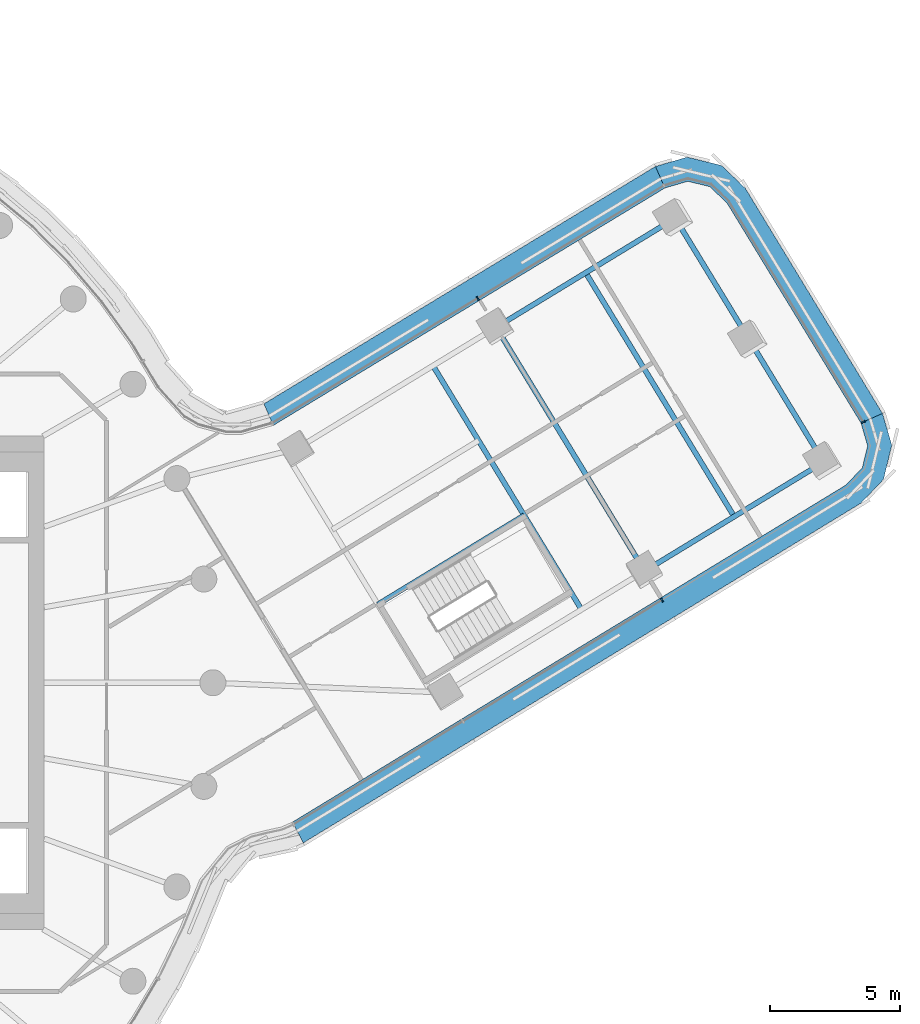
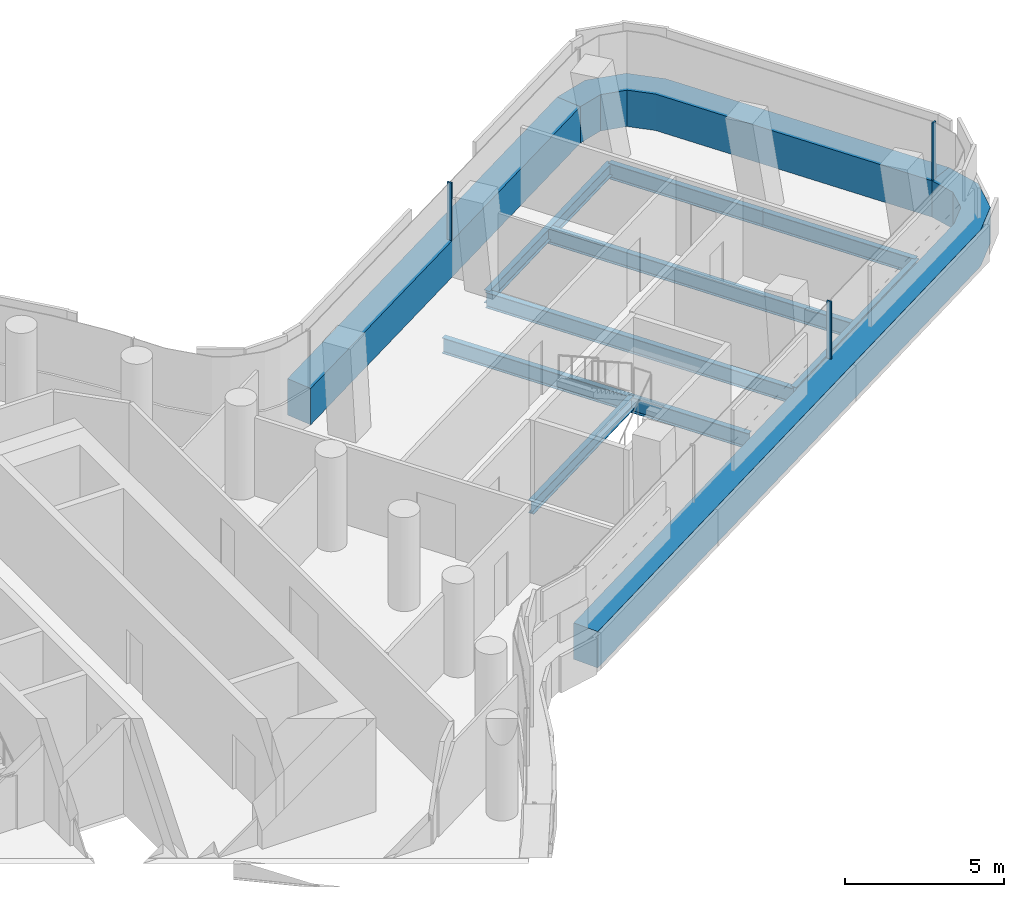
# One storey, part 13 of 35: 8 beams, 6 members, 3 elements without a shape of their own.
"""IFC4 building model written with IfcOpenShell, lengths in metres."""

from ifc_helpers import new_model, si_unit, direction, frame, origin, origin_2d, place, context, subcontext, project, spatial, polyline, rectangle, i_section, outline, extrude, material, layer, layer_set, material_profile, profile_set, type_object, element, aggregate, save


model = new_model("IFC4")

# Units and contexts
model_context = context("Model", 3, precision=1e-05, world=origin(), true_north=direction((0.0, 1.0)))
body_context = subcontext(model_context, "Body", "Model", "MODEL_VIEW")
ifc_project = project(units=[si_unit("LENGTHUNIT", "METRE"), si_unit("AREAUNIT", "SQUARE_METRE"), si_unit("VOLUMEUNIT", "CUBIC_METRE"), si_unit("PLANEANGLEUNIT", "RADIAN"), si_unit("MASSUNIT", "GRAM", prefix="KILO")], contexts=[model_context])

# Site, building, storey
site_placement = place(None, origin())
site = spatial("IfcSite", under=ifc_project, at=site_placement, CompositionType="ELEMENT")
building_placement = place(site_placement, origin())
building = spatial("IfcBuilding", under=site, at=building_placement, Name="Tamarind Cross Interchange Tower", CompositionType="ELEMENT")
storey_placement = place(building_placement, frame((0.0, 0.0, 148.0)))
storey = spatial("IfcBuildingStorey", under=building, at=storey_placement, Name="L36", CompositionType="ELEMENT", Elevation=148.0)

# Beams
ifc_material_1 = material(Name="Steel Q355B", Category="steel")
ifc_material_profile_1 = material_profile(ifc_material_1, i_section(OverallWidth=0.198974609375, OverallDepth=0.49609375, WebThickness=0.009033203125, FlangeThickness=0.013916015625, FilletRadius=0.012939453125, at=origin_2d()), Name="HN 496x199x9x14")
ifc_profile_set_1 = profile_set([ifc_material_profile_1], Name="Steel Q355B")
beam_type_1 = type_object("IfcBeamType", Name="Composite beam HN 496x199x9x14 Q355B", PredefinedType="BEAM", material=ifc_profile_set_1)
beam_1_placement = place(storey_placement, frame((46.534423828125, 8.503173828125, -0.387939453125), z_axis=(-0.854060190551, -0.520174192858, 0.0), x_axis=(0.520174192858, -0.854060190551, 0.0)))
element("IfcBeam", 1, at=beam_1_placement, inside=storey, type_object=beam_type_1, Name="Beam E-edgeem5", PredefinedType="BEAM", context=body_context, shape_type="SweptSolid", body=[
    extrude(i_section(OverallWidth=0.198974609375, OverallDepth=0.49609375, WebThickness=0.009033203125, FlangeThickness=0.013916015625, FilletRadius=0.012939453125, at=origin_2d()), origin(), (0.0, 0.0, 1.0), 8.076904296875),
])
beam_2_placement = place(storey_placement, frame((40.8125, 17.89794921875, -0.387939453125), z_axis=(-0.854046761887, -0.520196240385, 0.0), x_axis=(0.520196240385, -0.854046761887, 0.0)))
element("IfcBeam", 2, at=beam_2_placement, inside=storey, type_object=beam_type_1, Name="Beam E-edgeep2", PredefinedType="BEAM", context=body_context, shape_type="SweptSolid", body=[
    extrude(i_section(OverallWidth=0.198974609375, OverallDepth=0.49609375, WebThickness=0.009033203125, FlangeThickness=0.013916015625, FilletRadius=0.012939453125, at=origin_2d()), origin(), (0.0, 0.0, 1.0), 8.0771484375),
])
beam_3_placement = place(storey_placement, frame((29.3544921875, 3.015869140625, -0.387939453125), z_axis=(0.854069956179, 0.520158158595, 0.0), x_axis=(-0.520158158595, 0.854069956179, 0.0)))
element("IfcBeam", 3, at=beam_3_placement, inside=storey, type_object=beam_type_1, Name="Beam E-tr1", PredefinedType="BEAM", context=body_context, shape_type="SweptSolid", body=[
    extrude(i_section(OverallWidth=0.198974609375, OverallDepth=0.49609375, WebThickness=0.009033203125, FlangeThickness=0.013916015625, FilletRadius=0.012939453125, at=origin_2d()), origin(), (0.0, 0.0, 1.0), 6.60009765625),
])
ifc_material_profile_2 = material_profile(ifc_material_1, i_section(OverallWidth=0.199951171875, OverallDepth=0.60009765625, WebThickness=0.010986328125, FlangeThickness=0.01708984375, FilletRadius=0.012939453125, at=origin_2d()), Name="HN 600x200x11x17")
ifc_profile_set_2 = profile_set([ifc_material_profile_2], Name="Steel Q355B")
beam_type_2 = type_object("IfcBeamType", Name="Composite beam HN 600x200x11x17 Q355B", PredefinedType="BEAM", material=ifc_profile_set_2)
beam_4_placement = place(storey_placement, frame((46.534423828125, 8.503173828125, -0.43994140625), z_axis=(-0.52016379899, 0.854066520957, 0.0), x_axis=(-0.854066520957, -0.52016379899, 0.0)))
element("IfcBeam", 4, at=beam_4_placement, inside=storey, type_object=beam_type_2, Name="Beam E-tip0", PredefinedType="BEAM", context=body_context, shape_type="SweptSolid", body=[
    extrude(i_section(OverallWidth=0.199951171875, OverallDepth=0.60009765625, WebThickness=0.010986328125, FlangeThickness=0.01708984375, FilletRadius=0.012939453125, at=origin_2d()), origin(), (0.0, 0.0, 1.0), 5.5),
])
beam_5_placement = place(storey_placement, frame((43.673583984375, 13.200439453125, -0.43994140625), z_axis=(-0.520176457129, 0.85405881147, 0.0), x_axis=(-0.85405881147, -0.520176457129, 0.0)))
element("IfcBeam", 5, at=beam_5_placement, inside=storey, type_object=beam_type_2, Name="Beam E-tip1", PredefinedType="BEAM", context=body_context, shape_type="SweptSolid", body=[
    extrude(i_section(OverallWidth=0.199951171875, OverallDepth=0.60009765625, WebThickness=0.010986328125, FlangeThickness=0.01708984375, FilletRadius=0.012939453125, at=origin_2d()), origin(), (0.0, 0.0, 1.0), 5.500244140625),
])
for number, where, z_axis, x_axis, name in (
    (6, (37.2021484375, 2.819091796875, -0.43994140625), (-0.520170128267, 0.854062666119, 0.0), (-0.854062666119, -0.520170128267, 0.0), "Beam E-x364"),
    (7, (39.63623046875, 4.3017578125, -0.43994140625), (-0.520179988456, 0.854056660655, 0.0), (-0.854056660655, -0.520179988456, 0.0), "Beam E-x393"),
    (8, (43.08544921875, 6.40234375, -0.43994140625), (-0.520170128267, 0.854062666119, 0.0), (-0.854062666119, -0.520170128267, 0.0), "Beam E-x433"),
):
    element("IfcBeam", number, at=place(storey_placement, frame(where, z_axis=z_axis, x_axis=x_axis)), inside=storey, type_object=beam_type_2, Name=name, PredefinedType="BEAM", context=body_context, shape_type="SweptSolid", body=[
        extrude(i_section(OverallWidth=0.199951171875, OverallDepth=0.60009765625, WebThickness=0.010986328125, FlangeThickness=0.01708984375, FilletRadius=0.012939453125, at=origin_2d()), origin(), (0.0, 0.0, 1.0), 11.0),
    ])

# Curtain wall, member
ifc_material_2 = material(Name="Aluminium 6063-T6", Category="aluminium")
ifc_layer = layer(ifc_material_2, 0.159912109375)
ifc_layer_set = layer_set([ifc_layer], Name="Aluminium 6063-T6")
curtain_wall_type = type_object("IfcCurtainWallType", Name="Office curtain wall, 9.0 m bays", PredefinedType="NOTDEFINED", material=ifc_layer_set)
curtain_wall_1_placement = place(storey_placement, origin())
curtain_wall_1 = element("IfcCurtainWall", 9, at=curtain_wall_1_placement, inside=storey, type_object=curtain_wall_type, Name="CWS-L36-07", PredefinedType="NOTDEFINED")
ifc_material_3 = material(Name="Aluminium and insulated spandrel panel", Category="aluminium")
member_type_1 = type_object("IfcMemberType", Name="Floor-edge blade transom", PredefinedType="USERDEFINED", material=ifc_material_3)
member_1_placement = place(storey_placement, origin())
member_1 = element("IfcMember", 10, at=member_1_placement, type_object=member_type_1, Name="CWT-L36-07", ObjectType="TRANSOM", PredefinedType="USERDEFINED", context=body_context, shape_type="SweptSolid", body=[
    extrude(outline(polyline([(26.064208984375, -5.36962890625), (47.3876953125, 7.61767578125), (48.01953125, 8.280029296875), (48.22607421875, 9.1298828125), (47.968505859375, 10.00830078125), (48.798583984375, 10.375244140625), (49.157470703125, 9.151611328125), (48.837158203125, 7.833251953125), (47.95703125, 6.91064453125), (26.48193359375, -6.1689453125), (26.064208984375, -5.36962890625)])), origin(), (0.0, 0.0, 1.0), 1.39990234375),
])

curtain_wall_2_placement = place(storey_placement, origin())
curtain_wall_2 = element("IfcCurtainWall", 11, at=curtain_wall_2_placement, inside=storey, type_object=curtain_wall_type, Name="CWS-L36-08", PredefinedType="NOTDEFINED")
member_2_placement = place(storey_placement, origin())
member_2 = element("IfcMember", 12, at=member_2_placement, type_object=member_type_1, Name="CWT-L36-08", ObjectType="TRANSOM", PredefinedType="USERDEFINED", context=body_context, shape_type="SweptSolid", body=[
    extrude(outline(polyline([(47.968505859375, 10.00830078125), (42.807861328125, 18.4814453125), (42.1455078125, 19.11328125), (41.295654296875, 19.31982421875), (40.4169921875, 19.06201171875), (40.051025390625, 19.892578125), (41.27392578125, 20.251220703125), (42.59228515625, 19.930908203125), (43.5146484375, 19.05078125), (48.798583984375, 10.375244140625), (47.968505859375, 10.00830078125)])), origin(), (0.0, 0.0, 1.0), 1.39990234375),
])

curtain_wall_3_placement = place(storey_placement, origin())
curtain_wall_3 = element("IfcCurtainWall", 13, at=curtain_wall_3_placement, inside=storey, type_object=curtain_wall_type, Name="CWS-L36-09", PredefinedType="NOTDEFINED")
member_3_placement = place(storey_placement, origin())
member_3 = element("IfcMember", 14, at=member_3_placement, type_object=member_type_1, Name="CWT-L36-09", ObjectType="TRANSOM", PredefinedType="USERDEFINED", context=body_context, shape_type="SweptSolid", body=[
    extrude(outline(polyline([(40.4169921875, 19.06201171875), (25.32666015625, 9.91357421875), (24.964111328125, 10.74609375), (40.051025390625, 19.892578125), (40.4169921875, 19.06201171875)])), origin(), (0.0, 0.0, 1.0), 1.39990234375),
])

# Member
ifc_material_profile_3 = material_profile(ifc_material_2, rectangle(XDim=0.06005859375, YDim=0.159912109375, at=origin_2d()), Name="Mullion CW1")
ifc_profile_set_3 = profile_set([ifc_material_profile_3], Name="Aluminium 6063-T6")
member_type_2 = type_object("IfcMemberType", Name="Mullion CW1", PredefinedType="MULLION", material=ifc_profile_set_3)
member_4_placement = place(storey_placement, frame((40.30126953125, 3.1845703125, 1.39990234375), z_axis=(0.0, 0.0, 1.0), x_axis=(0.854059616181, 0.520175135901, 0.0)))
member_4 = element("IfcMember", 15, at=member_4_placement, type_object=member_type_2, Name="CWM-L36-07-02", PredefinedType="MULLION", context=body_context, shape_type="SweptSolid", body=[
    extrude(rectangle(XDim=0.06005859375, YDim=0.159912109375, at=origin_2d()), origin(), (0.0, 0.0, 1.0), 2.210205078125),
])

aggregate(curtain_wall_1, [member_4, member_1])

member_5_placement = place(storey_placement, frame((48.060546875, 10.049072265625, 1.39990234375), z_axis=(0.0, 0.0, 1.0), x_axis=(-0.404247815874, 0.914649497546, 0.0)))
member_5 = element("IfcMember", 16, at=member_5_placement, type_object=member_type_2, Name="CWM-L36-08-00", PredefinedType="MULLION", context=body_context, shape_type="SweptSolid", body=[
    extrude(rectangle(XDim=0.06005859375, YDim=0.159912109375, at=origin_2d()), origin(), (0.0, 0.0, 1.0), 2.210205078125),
])

aggregate(curtain_wall_2, [member_5, member_2])

member_6_placement = place(storey_placement, frame((33.2060546875, 14.807373046875, 1.39990234375), z_axis=(0.0, 0.0, 1.0), x_axis=(-0.855123301434, -0.518424670848, 0.0)))
member_6 = element("IfcMember", 17, at=member_6_placement, type_object=member_type_2, Name="CWM-L36-09-01", PredefinedType="MULLION", context=body_context, shape_type="SweptSolid", body=[
    extrude(rectangle(XDim=0.06005859375, YDim=0.159912109375, at=origin_2d()), origin(), (0.0, 0.0, 1.0), 2.210205078125),
])

aggregate(curtain_wall_3, [member_6, member_3])

save(model, "model.ifc")
